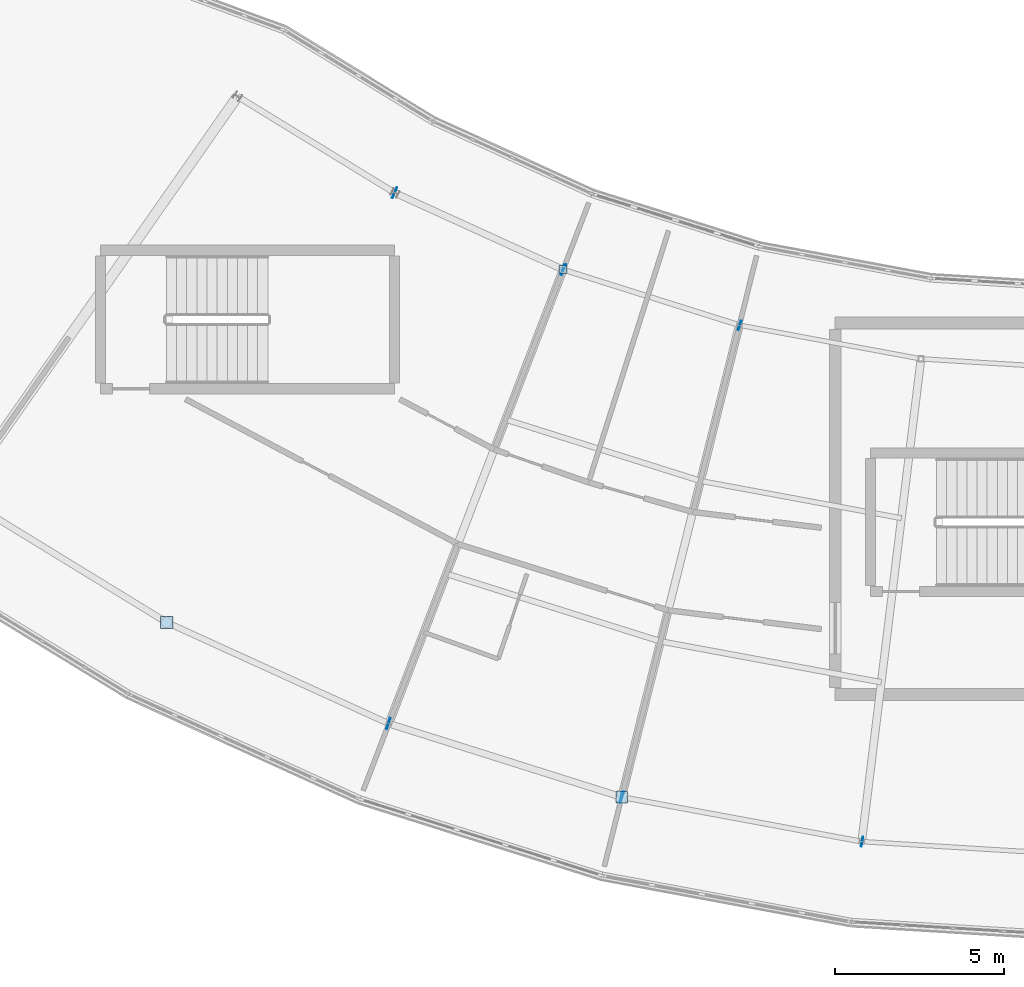
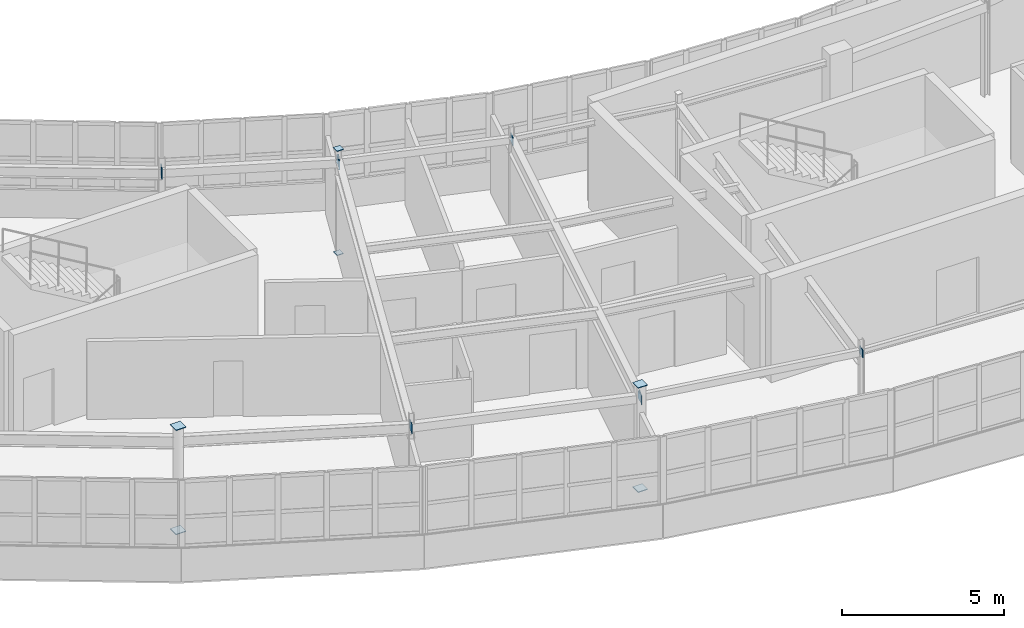
# One storey, part 45 of 65: 14 plates.
"""IFC4 building model written with IfcOpenShell, lengths in metres."""

from ifc_helpers import new_model, si_unit, direction, frame, origin, origin_2d, place, context, subcontext, project, spatial, rectangle, extrude, material, layer, layer_set, type_object, element, save


model = new_model("IFC4")

# Units and contexts
model_context = context("Model", 3, precision=1e-05, world=origin(), true_north=direction((0.0, 1.0)))
body_context = subcontext(model_context, "Body", "Model", "MODEL_VIEW")
ifc_project = project(units=[si_unit("LENGTHUNIT", "METRE"), si_unit("AREAUNIT", "SQUARE_METRE"), si_unit("VOLUMEUNIT", "CUBIC_METRE"), si_unit("PLANEANGLEUNIT", "RADIAN"), si_unit("MASSUNIT", "GRAM", prefix="KILO")], contexts=[model_context])

# Site, building, storey
site_placement = place(None, origin())
site = spatial("IfcSite", under=ifc_project, at=site_placement, CompositionType="ELEMENT")
building_placement = place(site_placement, origin())
building = spatial("IfcBuilding", under=site, at=building_placement, Name="Tarnwether General Hospital", CompositionType="ELEMENT")
storey_placement = place(building_placement, frame((0.0, 0.0, 22.199951171875)))
storey = spatial("IfcBuildingStorey", under=building, at=storey_placement, Name="L05", CompositionType="ELEMENT", Elevation=22.199951171875)

# Plates
ifc_material = material(Name="Steel Grade 350 (350 MPa)", Category="steel")
ifc_layer = layer(ifc_material, 0.02490234375)
ifc_layer_set = layer_set([ifc_layer], Name="Steel Grade 350 (350 MPa)")
plate_type = type_object("IfcPlateType", Name="PT-GUS2", PredefinedType="USERDEFINED", material=ifc_layer_set)
for number, where, z_axis, x_axis, name in (
    (1, (64.20703125, 10.72998046875, -0.02490234375), (0.0, 0.0, 1.0), (1.0, 0.0, 0.0), "Hollow Section Welded End Cap Plate 0629"),
    (2, (64.20703125, 10.72998046875, 3.900146484375), (0.0, 0.0, 1.0), (1.0, 0.0, 0.0), "Hollow Section Welded End Cap Plate 0630"),
):
    element("IfcPlate", number, at=place(storey_placement, frame(where, z_axis=z_axis, x_axis=x_axis)), inside=storey, type_object=plate_type, Name=name, ObjectType="GUSSET", PredefinedType="USERDEFINED", context=body_context, shape_type="SweptSolid", body=[
        extrude(rectangle(XDim=0.364013671875, YDim=0.364013671875, at=origin_2d()), origin(), (0.0, 0.0, 1.0), 0.02490234375),
    ])
for number, where, z_axis, x_axis, name in (
    (3, (75.945068359375, 21.176025390625, -0.02490234375), (0.0, 0.0, 1.0), (1.0, 0.0, 0.0), "Hollow Section Welded End Cap Plate 0645"),
    (4, (75.945068359375, 21.176025390625, 3.900146484375), (0.0, 0.0, 1.0), (1.0, 0.0, 0.0), "Hollow Section Welded End Cap Plate 0646"),
):
    element("IfcPlate", number, at=place(storey_placement, frame(where, z_axis=z_axis, x_axis=x_axis)), inside=storey, type_object=plate_type, Name=name, ObjectType="GUSSET", PredefinedType="USERDEFINED", context=body_context, shape_type="SweptSolid", body=[
        extrude(rectangle(XDim=0.23388671875, YDim=0.23388671875, at=origin_2d()), origin(), (0.0, 0.0, 1.0), 0.02490234375),
    ])
for number, where, z_axis, x_axis, name in (
    (5, (77.677978515625, 5.55810546875, -0.02490234375), (0.0, 0.0, 1.0), (1.0, 0.0, 0.0), "Hollow Section Welded End Cap Plate 0653"),
    (6, (77.677978515625, 5.55810546875, 3.900146484375), (0.0, 0.0, 1.0), (1.0, 0.0, 0.0), "Hollow Section Welded End Cap Plate 0654"),
):
    element("IfcPlate", number, at=place(storey_placement, frame(where, z_axis=z_axis, x_axis=x_axis)), inside=storey, type_object=plate_type, Name=name, ObjectType="GUSSET", PredefinedType="USERDEFINED", context=body_context, shape_type="SweptSolid", body=[
        extrude(rectangle(XDim=0.340087890625, YDim=0.340087890625, at=origin_2d()), origin(), (0.0, 0.0, 1.0), 0.02490234375),
    ])
for number, where, z_axis, x_axis, name in (
    (7, (70.95654296875, 23.44921875, 3.240234375), (0.0, 0.0, 1.0), (0.9099685085, -0.414677360773, 0.0), "Hollow Section Welded End Cap Plate 1143"),
    (8, (75.956298828125, 21.1708984375, 3.240234375), (0.0, 0.0, 1.0), (0.9099685085, -0.414677360773, 0.0), "Hollow Section Welded End Cap Plate 1144"),
    (9, (70.773193359375, 7.73583984375, 3.240234375), (0.0, 0.0, 1.0), (0.953690705585, -0.300789025864, 0.0), "Hollow Section Welded End Cap Plate 1145"),
    (10, (77.68994140625, 5.55419921875, 3.240234375), (0.0, 0.0, 1.0), (0.953690705585, -0.300789025864, 0.0), "Hollow Section Welded End Cap Plate 1146"),
):
    element("IfcPlate", number, at=place(storey_placement, frame(where, z_axis=z_axis, x_axis=x_axis)), inside=storey, type_object=plate_type, Name=name, ObjectType="GUSSET", PredefinedType="USERDEFINED", context=body_context, shape_type="SweptSolid", body=[
        extrude(rectangle(XDim=0.02490234375, YDim=0.340087890625, at=origin_2d()), origin(), (0.0, 0.0, 1.0), 0.340087890625),
    ])
for number, where, z_axis, x_axis, name in (
    (11, (75.93310546875, 21.1796875, 3.2900390625), (0.0, 0.0, 1.0), (0.953711702297, -0.300722444959, 0.0), "Hollow Section Welded End Cap Plate 1147"),
    (12, (81.173828125, 19.527099609375, 3.2900390625), (0.0, 0.0, 1.0), (0.953711702297, -0.300722444959, 0.0), "Hollow Section Welded End Cap Plate 1148"),
    (13, (77.665771484375, 5.560302734375, 3.2900390625), (0.0, 0.0, 1.0), (0.983261268185, -0.18220120331, 0.0), "Hollow Section Welded End Cap Plate 1149"),
    (14, (84.79736328125, 4.23876953125, 3.2900390625), (0.0, 0.0, 1.0), (0.983261268185, -0.18220120331, 0.0), "Hollow Section Welded End Cap Plate 1150"),
):
    element("IfcPlate", number, at=place(storey_placement, frame(where, z_axis=z_axis, x_axis=x_axis)), inside=storey, type_object=plate_type, Name=name, ObjectType="GUSSET", PredefinedType="USERDEFINED", context=body_context, shape_type="SweptSolid", body=[
        extrude(rectangle(XDim=0.02490234375, YDim=0.2900390625, at=origin_2d()), origin(), (0.0, 0.0, 1.0), 0.2900390625),
    ])

save(model, "model.ifc")
